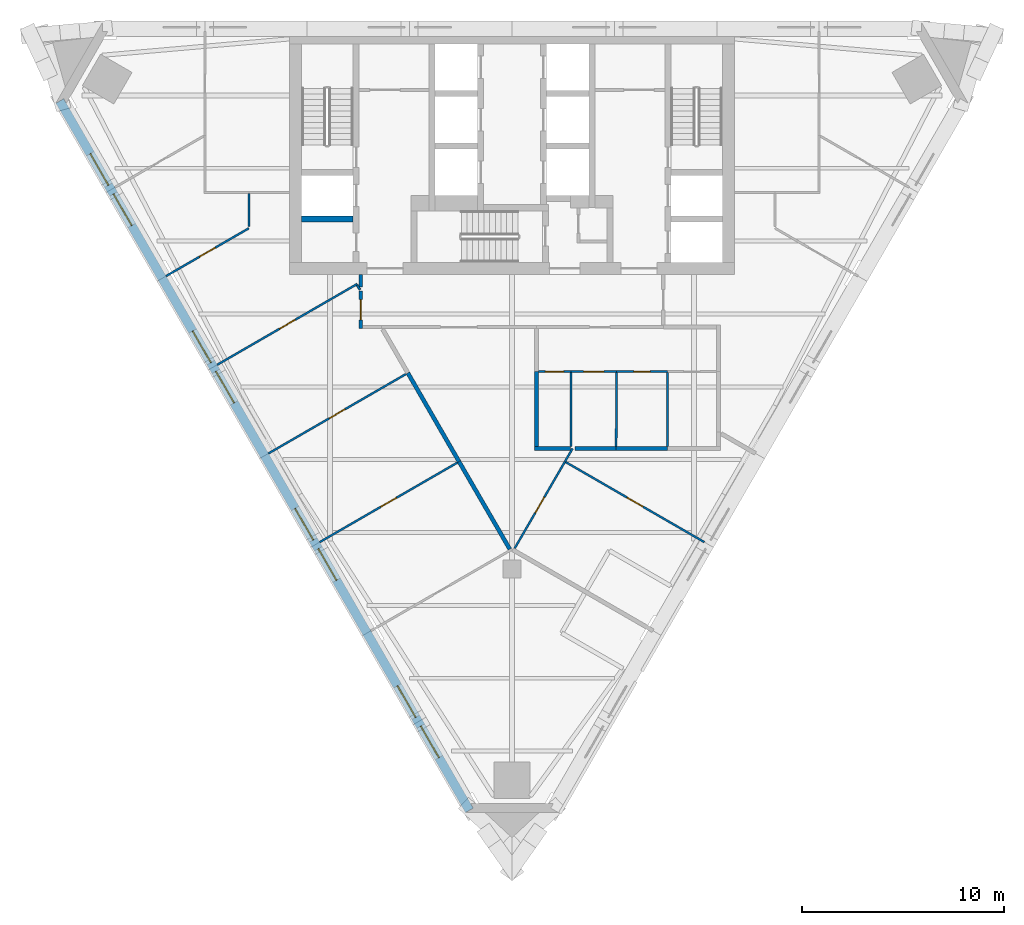
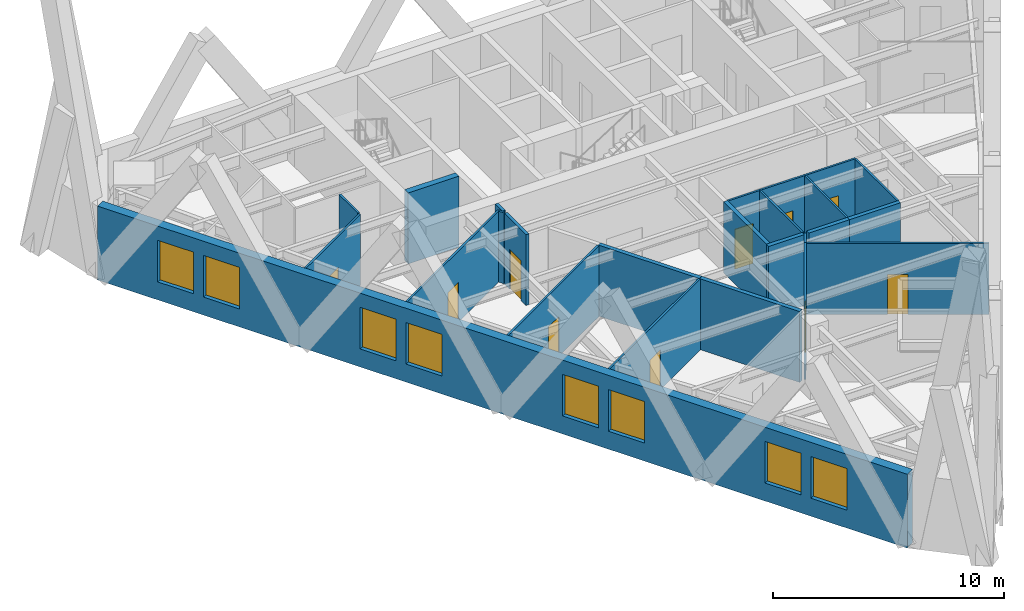
# One storey, part 3 of 8: 25 walls, 10 doors, 8 windows, 18 openings.
"""IFC4 building model written with IfcOpenShell, lengths in metres."""

import ifcopenshell
import ifcopenshell.guid

model = None  # the IFC model being written
_history = None  # IfcOwnerHistory: only IFC2X3 demands one
_inside = {}  # id of a spatial element -> (the spatial element, [elements in it])
_under = {}  # id of a project, library or spatial element -> (it, [spatial elements below it])
_declared = {}  # id of a project -> (the project, [libraries it declares])
_typed = {}  # id of a type object -> (the type object, [elements of that type])
_made_of = {}  # id of a material, layer set ... -> (it, [elements and type objects made of it])


def new_model(schema):
    """Start an empty IFC model of exactly this schema.

    Asked for "IFC4X3", IfcOpenShell would pick the latest addendum, in which some entities
    have other attributes; the version numbers below select the first issue.
    IFC2X3 requires an IfcOwnerHistory on every rooted entity: one is made here for all.
    """
    global model, _history
    if schema == "IFC4X3":
        model = ifcopenshell.file(schema_version=(4, 3, 0, 0))
    else:
        model = ifcopenshell.file(schema=schema)
    _inside.clear()
    _under.clear()
    _declared.clear()
    _typed.clear()
    _made_of.clear()
    _history = None
    if model.schema == "IFC2X3":
        org = make("IfcOrganization", Name="unknown")
        user = make(
            "IfcPersonAndOrganization",
            ThePerson=make("IfcPerson", FamilyName="unknown"),
            TheOrganization=org,
        )
        app = make(
            "IfcApplication",
            ApplicationDeveloper=org,
            Version="unknown",
            ApplicationFullName="unknown",
            ApplicationIdentifier="unknown",
        )
        _history = make(
            "IfcOwnerHistory",
            OwningUser=user,
            OwningApplication=app,
            ChangeAction="ADDED",
            CreationDate=0,
        )
    return model


def make(cls, **values):
    """One entity of the class cls with the attributes given. An attribute that is None is left unset."""
    return model.create_entity(
        cls, **{name: value for name, value in values.items() if value is not None}
    )


def rooted(cls, **values):
    """An entity with a GlobalId (a new one), such as an element, a storey or a relation."""
    return make(cls, GlobalId=ifcopenshell.guid.new(), OwnerHistory=_history, **values)


def si_unit(unit_type, name, prefix=None):
    """IfcSIUnit, for example si_unit("LENGTHUNIT", "METRE", prefix="MILLI")."""
    return make("IfcSIUnit", UnitType=unit_type, Prefix=prefix, Name=name)


def assignment(units):
    """IfcUnitAssignment: the units of a project."""
    return None if units is None else make("IfcUnitAssignment", Units=units)


def point(xyz):
    """IfcCartesianPoint."""
    return None if xyz is None else make("IfcCartesianPoint", Coordinates=xyz)


def direction(xyz):
    """IfcDirection."""
    return None if xyz is None else make("IfcDirection", DirectionRatios=xyz)


def frame(location, z_axis=None, x_axis=None):
    """IfcAxis2Placement3D, a coordinate frame: its origin and axes. An axis left out is left unset."""
    return make(
        "IfcAxis2Placement3D",
        Location=point(location),
        Axis=direction(z_axis),
        RefDirection=direction(x_axis),
    )


def frame_2d(location, x_axis=None):
    """IfcAxis2Placement2D, a coordinate frame in the plane: its origin and x axis."""
    return make(
        "IfcAxis2Placement2D", Location=point(location), RefDirection=direction(x_axis)
    )


def origin():
    """The frame at (0, 0, 0) with its axes left unset."""
    return frame((0.0, 0.0, 0.0))


def place(relative_to, where):
    """IfcLocalPlacement: puts the frame where relative to a parent placement (None: the world)."""
    return make(
        "IfcLocalPlacement", PlacementRelTo=relative_to, RelativePlacement=where
    )


def context(
    kind, dimensions, precision=None, world=None, true_north=None, identifier=None
):
    """IfcGeometricRepresentationContext, for example the 3D "Model" context."""
    return make(
        "IfcGeometricRepresentationContext",
        ContextIdentifier=identifier,
        ContextType=kind,
        CoordinateSpaceDimension=dimensions,
        Precision=precision,
        WorldCoordinateSystem=world,
        TrueNorth=true_north,
    )


def subcontext(parent, identifier, kind, view, scale=None):
    """IfcGeometricRepresentationSubContext, for example "Body" below "Model"."""
    return make(
        "IfcGeometricRepresentationSubContext",
        ContextIdentifier=identifier,
        ContextType=kind,
        ParentContext=parent,
        TargetScale=scale,
        TargetView=view,
    )


def project(units=None, contexts=None):
    """IfcProject with its units and contexts."""
    return rooted(
        "IfcProject",
        Name="project",
        RepresentationContexts=contexts,
        UnitsInContext=assignment(units),
    )


def spatial(cls, under=None, at=None, **own):
    """A site, building, storey or space (cls), placed at a placement, below another one or the project."""
    s = rooted(cls, ObjectPlacement=at, **own)
    if under is not None:
        _under.setdefault(under.id(), (under, []))[1].append(s)
    return s


def polyline(points):
    """IfcPolyline through the points."""
    return make("IfcPolyline", Points=[point(p) for p in points])


def profile(cls, at=None, kind="AREA", **sizes):
    """A parametric profile (cls). Its sizes go by their IFC names, for example OverallWidth=200.0."""
    return make(cls, ProfileType=kind, Position=at, **sizes)


def rectangle(**sizes):
    """IfcRectangleProfileDef."""
    return profile("IfcRectangleProfileDef", **sizes)


def outline(outer, holes=None, kind="AREA"):
    """IfcArbitraryClosedProfileDef: a profile drawn as a closed curve; with holes, ...WithVoids."""
    if holes is None:
        return make("IfcArbitraryClosedProfileDef", ProfileType=kind, OuterCurve=outer)
    return make(
        "IfcArbitraryProfileDefWithVoids",
        ProfileType=kind,
        OuterCurve=outer,
        InnerCurves=holes,
    )


def extrude(swept, where, along, depth):
    """IfcExtrudedAreaSolid: the profile swept, set in the frame where, extruded along a direction by depth."""
    return make(
        "IfcExtrudedAreaSolid",
        SweptArea=swept,
        Position=where,
        ExtrudedDirection=direction(along),
        Depth=depth,
    )


def shape(context_of_items, identifier, shape_type, items):
    """IfcShapeRepresentation: the items that make up one representation, for example the "Body"."""
    return make(
        "IfcShapeRepresentation",
        ContextOfItems=context_of_items,
        RepresentationIdentifier=identifier,
        RepresentationType=shape_type,
        Items=items,
    )


def material(Name=None, Category=None):
    """IfcMaterial."""
    return make("IfcMaterial", Name=Name, Category=Category)


def layer(
    of_material, thickness, ventilated=None, Name=None, Category=None, Priority=None
):
    """IfcMaterialLayer: one layer of a wall or slab, of a material (None: an air gap)."""
    return make(
        "IfcMaterialLayer",
        Material=of_material,
        LayerThickness=thickness,
        IsVentilated=ventilated,
        Name=Name,
        Category=Category,
        Priority=Priority,
    )


def layer_set(layers, Name=None):
    """IfcMaterialLayerSet."""
    return make("IfcMaterialLayerSet", MaterialLayers=layers, LayerSetName=Name)


def made_of(thing, what):
    """Note that an element or type object is made of a material, layer set ...; save() writes the relation."""
    if what is not None:
        _made_of.setdefault(what.id(), (what, []))[1].append(thing)
    return thing


def type_object(cls, material=None, **own):
    """A type object (cls), such as IfcWallType, which elements share."""
    return made_of(rooted(cls, **own), material)


def element(
    cls,
    number,
    at=None,
    inside=None,
    cuts=None,
    type_object=None,
    material=None,
    context=None,
    identifier="Body",
    shape_type=None,
    held_by="IfcProductDefinitionShape",
    body=None,
    shapes=None,
    **own,
):
    """One element of the class cls, such as IfcWall. Its Tag is "e" and its number.

    at: its placement. inside: the storey or other place that contains it. cuts: it is an
    opening in that element (IfcRelVoidsElement). A single representation is given by context,
    identifier, shape_type and body (its items); several are given by shapes. held_by: the class
    of the entity that holds the representations. save() writes the other relations.
    """
    e = rooted(cls, Tag="e%d" % number, ObjectPlacement=at, **own)
    if body is not None:
        shapes = [shape(context, identifier, shape_type, body)]
    if shapes is not None:
        e.Representation = make(held_by, Representations=shapes)
    if inside is not None:
        _inside.setdefault(inside.id(), (inside, []))[1].append(e)
    if cuts is not None:
        rooted(
            "IfcRelVoidsElement", RelatingBuildingElement=cuts, RelatedOpeningElement=e
        )
    if type_object is not None:
        _typed.setdefault(type_object.id(), (type_object, []))[1].append(e)
    return made_of(e, material)


def fill(opening, filler):
    """IfcRelFillsElement: the door or window that sits in an opening."""
    return rooted(
        "IfcRelFillsElement",
        RelatingOpeningElement=opening,
        RelatedBuildingElement=filler,
    )


def aggregate(whole, parts):
    """IfcRelAggregates: a whole, such as a stair, and the parts it consists of."""
    return rooted("IfcRelAggregates", RelatingObject=whole, RelatedObjects=parts)


def save(model, path):
    """Write the relations noted so far, then the file.

    IfcRelAggregates (storeys below a building ...), IfcRelContainedInSpatialStructure (elements
    in a storey), IfcRelDefinesByType, IfcRelAssociatesMaterial and IfcRelDeclares: one each for
    every whole, place, type object, material and project.
    """
    for whole, parts in _under.values():
        aggregate(whole, parts)
    for where, things in _inside.values():
        rooted(
            "IfcRelContainedInSpatialStructure",
            RelatedElements=things,
            RelatingStructure=where,
        )
    for kind, things in _typed.values():
        rooted("IfcRelDefinesByType", RelatedObjects=things, RelatingType=kind)
    for what, things in _made_of.values():
        rooted("IfcRelAssociatesMaterial", RelatedObjects=things, RelatingMaterial=what)
    for by, libraries in _declared.values():
        rooted("IfcRelDeclares", RelatingContext=by, RelatedDefinitions=libraries)
    model.write(path)


model = new_model("IFC4")

# Units and contexts
model_context = context("Model", 3, precision=1e-05, world=origin(), true_north=direction((0.0, 1.0)))
body_context = subcontext(model_context, "Body", "Model", "MODEL_VIEW")
ifc_project = project(units=[si_unit("LENGTHUNIT", "METRE"), si_unit("AREAUNIT", "SQUARE_METRE"), si_unit("VOLUMEUNIT", "CUBIC_METRE"), si_unit("PLANEANGLEUNIT", "RADIAN"), si_unit("MASSUNIT", "GRAM", prefix="KILO")], contexts=[model_context])

# Site, building, storey
site_placement = place(None, origin())
site = spatial("IfcSite", under=ifc_project, at=site_placement, CompositionType="ELEMENT")
building_placement = place(site_placement, origin())
building = spatial("IfcBuilding", under=site, at=building_placement, Name="Aloe Facet Convention Tower", CompositionType="ELEMENT")
storey_placement = place(building_placement, frame((0.0, 0.0, 159.800048828125)))
storey = spatial("IfcBuildingStorey", under=building, at=storey_placement, Name="L40", CompositionType="ELEMENT", Elevation=159.800048828125)

# Wall
ifc_material_1 = material(Name="Concrete C60/75", Category="concrete")
ifc_layer_1 = layer(ifc_material_1, 0.300048828125)
ifc_layer_set_1 = layer_set([ifc_layer_1], Name="CR-W-RC300-C6075")
wall_type_1 = type_object("IfcWallType", Name="CR-W-RC300-C6075", PredefinedType="SOLIDWALL", material=ifc_layer_set_1)
wall_1_placement = place(storey_placement, frame((69.60009765625, 125.300048828125, 0.0), z_axis=(0.0, 0.0, 1.0), x_axis=(1.0, 0.0, 0.0)))
element("IfcWall", 1, at=wall_1_placement, inside=storey, type_object=wall_type_1, Name="Core wall L40-005", PredefinedType="SOLIDWALL", context=body_context, shape_type="SweptSolid", body=[
    extrude(rectangle(XDim=2.5498046875, YDim=0.300048828125, at=frame_2d((1.27490234375, 0.0))), origin(), (0.0, 0.0, 1.0), 3.75),
])

# Wall, openings, windows
ifc_material_2 = material(Name="Precast concrete C40/50", Category="concrete")
ifc_layer_2 = layer(ifc_material_2, 0.449951171875)
ifc_layer_set_2 = layer_set([ifc_layer_2], Name="EV-WALL-STONE")
wall_type_2 = type_object("IfcWallType", Name="EV-WALL-STONE", PredefinedType="SOLIDWALL", material=ifc_layer_set_2)
wall_2_placement = place(storey_placement, frame((57.65185546875, 131.128662109375, -0.150146484375), z_axis=(0.0, 0.0, 1.0), x_axis=(0.499997369791, -0.866026922331, 0.0)))
wall_2 = element("IfcWall", 2, at=wall_2_placement, inside=storey, type_object=wall_type_2, Name="EW-L40-W01", PredefinedType="SOLIDWALL", context=body_context, shape_type="SweptSolid", body=[
    extrude(outline(polyline([(40.486083984375, 0.0), (40.486083984375, 3.900146484375), (0.0, 3.900146484375), (0.0, 0.0), (40.486083984375, 0.0)])), frame((0.0, 0.22509765625, 0.0), z_axis=(0.0, -1.0, 0.0), x_axis=(1.0, 0.0, 0.0)), (0.0, 0.0, 1.0), 0.449951171875),
])
opening_1_placement = place(wall_2_placement, frame((3.0107421875, 0.0, 0.949951171875)))
opening_1 = element("IfcOpeningElement", 3, at=opening_1_placement, cuts=wall_2, Name="Opening W-L40-W01", PredefinedType="OPENING", context=body_context, shape_type="SweptSolid", body=[
    extrude(rectangle(XDim=1.800048828125, YDim=2.199951171875, at=frame_2d((0.89990234375, 1.10009765625))), frame((0.0, 0.23486328125, 0.0), z_axis=(0.0, -1.0, 0.0), x_axis=(1.0, 0.0, 0.0)), (0.0, 0.0, 1.0), 0.469970703125),
])
opening_2_placement = place(wall_2_placement, frame((5.310791015625, 0.0, 0.949951171875)))
opening_2 = element("IfcOpeningElement", 4, at=opening_2_placement, cuts=wall_2, Name="Opening W-L40-W02", PredefinedType="OPENING", context=body_context, shape_type="SweptSolid", body=[
    extrude(rectangle(XDim=1.800048828125, YDim=2.199951171875, at=frame_2d((0.89990234375, 1.10009765625))), frame((0.0, 0.23486328125, 0.0), z_axis=(0.0, -1.0, 0.0), x_axis=(1.0, 0.0, 0.0)), (0.0, 0.0, 1.0), 0.469970703125),
])
opening_3_placement = place(wall_2_placement, frame((13.13232421875, 0.0, 0.949951171875)))
opening_3 = element("IfcOpeningElement", 5, at=opening_3_placement, cuts=wall_2, Name="Opening W-L40-W03", PredefinedType="OPENING", context=body_context, shape_type="SweptSolid", body=[
    extrude(rectangle(XDim=1.800048828125, YDim=2.199951171875, at=frame_2d((0.89990234375, 1.10009765625))), frame((0.0, 0.23486328125, 0.0), z_axis=(0.0, -1.0, 0.0), x_axis=(1.0, 0.0, 0.0)), (0.0, 0.0, 1.0), 0.469970703125),
])
opening_4_placement = place(wall_2_placement, frame((15.432373046875, 0.0, 0.949951171875)))
opening_4 = element("IfcOpeningElement", 6, at=opening_4_placement, cuts=wall_2, Name="Opening W-L40-W04", PredefinedType="OPENING", context=body_context, shape_type="SweptSolid", body=[
    extrude(rectangle(XDim=1.800048828125, YDim=2.199951171875, at=frame_2d((0.89990234375, 1.10009765625))), frame((0.0, 0.23486328125, 0.0), z_axis=(0.0, -1.0, 0.0), x_axis=(1.0, 0.0, 0.0)), (0.0, 0.0, 1.0), 0.469970703125),
])
opening_5_placement = place(wall_2_placement, frame((23.25390625, 0.0, 0.949951171875)))
opening_5 = element("IfcOpeningElement", 7, at=opening_5_placement, cuts=wall_2, Name="Opening W-L40-W05", PredefinedType="OPENING", context=body_context, shape_type="SweptSolid", body=[
    extrude(rectangle(XDim=1.800048828125, YDim=2.199951171875, at=frame_2d((0.89990234375, 1.10009765625))), frame((0.0, 0.23486328125, 0.0), z_axis=(0.0, -1.0, 0.0), x_axis=(1.0, 0.0, 0.0)), (0.0, 0.0, 1.0), 0.469970703125),
])
opening_6_placement = place(wall_2_placement, frame((25.553955078125, 0.0, 0.949951171875)))
opening_6 = element("IfcOpeningElement", 8, at=opening_6_placement, cuts=wall_2, Name="Opening W-L40-W06", PredefinedType="OPENING", context=body_context, shape_type="SweptSolid", body=[
    extrude(rectangle(XDim=1.800048828125, YDim=2.199951171875, at=frame_2d((0.89990234375, 1.10009765625))), frame((0.0, 0.23486328125, 0.0), z_axis=(0.0, -1.0, 0.0), x_axis=(1.0, 0.0, 0.0)), (0.0, 0.0, 1.0), 0.469970703125),
])
opening_7_placement = place(wall_2_placement, frame((33.37548828125, 0.0, 0.949951171875)))
opening_7 = element("IfcOpeningElement", 9, at=opening_7_placement, cuts=wall_2, Name="Opening W-L40-W07", PredefinedType="OPENING", context=body_context, shape_type="SweptSolid", body=[
    extrude(rectangle(XDim=1.800048828125, YDim=2.199951171875, at=frame_2d((0.89990234375, 1.10009765625))), frame((0.0, 0.23486328125, 0.0), z_axis=(0.0, -1.0, 0.0), x_axis=(1.0, 0.0, 0.0)), (0.0, 0.0, 1.0), 0.469970703125),
])
opening_8_placement = place(wall_2_placement, frame((35.67529296875, 0.0, 0.949951171875)))
opening_8 = element("IfcOpeningElement", 10, at=opening_8_placement, cuts=wall_2, Name="Opening W-L40-W08", PredefinedType="OPENING", context=body_context, shape_type="SweptSolid", body=[
    extrude(rectangle(XDim=1.800048828125, YDim=2.199951171875, at=frame_2d((0.89990234375, 1.10009765625))), frame((0.0, 0.23486328125, 0.0), z_axis=(0.0, -1.0, 0.0), x_axis=(1.0, 0.0, 0.0)), (0.0, 0.0, 1.0), 0.469970703125),
])
ifc_material_3 = material(Name="Aluminium frame, clear double glazing", Category="aluminium")
window_type = type_object("IfcWindowType", Name="EV-WIN-O18", PartitioningType="SINGLE_PANEL", PredefinedType="WINDOW", material=ifc_material_3)
window_1_placement = place(opening_1_placement, origin())
window_1 = element("IfcWindow", 11, at=window_1_placement, inside=storey, type_object=window_type, Name="W-L40-W01", OverallHeight=2.199951171875, OverallWidth=1.800048828125, PartitioningType="SINGLE_PANEL", PredefinedType="WINDOW", context=body_context, shape_type="SweptSolid", body=[
    extrude(rectangle(XDim=1.800048828125, YDim=2.199951171875, at=frame_2d((0.89990234375, 1.10009765625))), frame((0.0, 0.030029296875, 0.0), z_axis=(0.0, -1.0, 0.0), x_axis=(1.0, 0.0, 0.0)), (0.0, 0.0, 1.0), 0.06005859375),
])
fill(opening_1, window_1)
window_2_placement = place(opening_2_placement, origin())
window_2 = element("IfcWindow", 12, at=window_2_placement, inside=storey, type_object=window_type, Name="W-L40-W02", OverallHeight=2.199951171875, OverallWidth=1.800048828125, PartitioningType="SINGLE_PANEL", PredefinedType="WINDOW", context=body_context, shape_type="SweptSolid", body=[
    extrude(rectangle(XDim=1.800048828125, YDim=2.199951171875, at=frame_2d((0.89990234375, 1.10009765625))), frame((0.0, 0.030029296875, 0.0), z_axis=(0.0, -1.0, 0.0), x_axis=(1.0, 0.0, 0.0)), (0.0, 0.0, 1.0), 0.06005859375),
])
fill(opening_2, window_2)
window_3_placement = place(opening_3_placement, origin())
window_3 = element("IfcWindow", 13, at=window_3_placement, inside=storey, type_object=window_type, Name="W-L40-W03", OverallHeight=2.199951171875, OverallWidth=1.800048828125, PartitioningType="SINGLE_PANEL", PredefinedType="WINDOW", context=body_context, shape_type="SweptSolid", body=[
    extrude(rectangle(XDim=1.800048828125, YDim=2.199951171875, at=frame_2d((0.89990234375, 1.10009765625))), frame((0.0, 0.030029296875, 0.0), z_axis=(0.0, -1.0, 0.0), x_axis=(1.0, 0.0, 0.0)), (0.0, 0.0, 1.0), 0.06005859375),
])
fill(opening_3, window_3)
window_4_placement = place(opening_4_placement, origin())
window_4 = element("IfcWindow", 14, at=window_4_placement, inside=storey, type_object=window_type, Name="W-L40-W04", OverallHeight=2.199951171875, OverallWidth=1.800048828125, PartitioningType="SINGLE_PANEL", PredefinedType="WINDOW", context=body_context, shape_type="SweptSolid", body=[
    extrude(rectangle(XDim=1.800048828125, YDim=2.199951171875, at=frame_2d((0.89990234375, 1.10009765625))), frame((0.0, 0.030029296875, 0.0), z_axis=(0.0, -1.0, 0.0), x_axis=(1.0, 0.0, 0.0)), (0.0, 0.0, 1.0), 0.06005859375),
])
fill(opening_4, window_4)
window_5_placement = place(opening_5_placement, origin())
window_5 = element("IfcWindow", 15, at=window_5_placement, inside=storey, type_object=window_type, Name="W-L40-W05", OverallHeight=2.199951171875, OverallWidth=1.800048828125, PartitioningType="SINGLE_PANEL", PredefinedType="WINDOW", context=body_context, shape_type="SweptSolid", body=[
    extrude(rectangle(XDim=1.800048828125, YDim=2.199951171875, at=frame_2d((0.89990234375, 1.10009765625))), frame((0.0, 0.030029296875, 0.0), z_axis=(0.0, -1.0, 0.0), x_axis=(1.0, 0.0, 0.0)), (0.0, 0.0, 1.0), 0.06005859375),
])
fill(opening_5, window_5)
window_6_placement = place(opening_6_placement, origin())
window_6 = element("IfcWindow", 16, at=window_6_placement, inside=storey, type_object=window_type, Name="W-L40-W06", OverallHeight=2.199951171875, OverallWidth=1.800048828125, PartitioningType="SINGLE_PANEL", PredefinedType="WINDOW", context=body_context, shape_type="SweptSolid", body=[
    extrude(rectangle(XDim=1.800048828125, YDim=2.199951171875, at=frame_2d((0.89990234375, 1.10009765625))), frame((0.0, 0.030029296875, 0.0), z_axis=(0.0, -1.0, 0.0), x_axis=(1.0, 0.0, 0.0)), (0.0, 0.0, 1.0), 0.06005859375),
])
fill(opening_6, window_6)
window_7_placement = place(opening_7_placement, origin())
window_7 = element("IfcWindow", 17, at=window_7_placement, inside=storey, type_object=window_type, Name="W-L40-W07", OverallHeight=2.199951171875, OverallWidth=1.800048828125, PartitioningType="SINGLE_PANEL", PredefinedType="WINDOW", context=body_context, shape_type="SweptSolid", body=[
    extrude(rectangle(XDim=1.800048828125, YDim=2.199951171875, at=frame_2d((0.89990234375, 1.10009765625))), frame((0.0, 0.030029296875, 0.0), z_axis=(0.0, -1.0, 0.0), x_axis=(1.0, 0.0, 0.0)), (0.0, 0.0, 1.0), 0.06005859375),
])
fill(opening_7, window_7)
window_8_placement = place(opening_8_placement, origin())
window_8 = element("IfcWindow", 18, at=window_8_placement, inside=storey, type_object=window_type, Name="W-L40-W08", OverallHeight=2.199951171875, OverallWidth=1.800048828125, PartitioningType="SINGLE_PANEL", PredefinedType="WINDOW", context=body_context, shape_type="SweptSolid", body=[
    extrude(rectangle(XDim=1.800048828125, YDim=2.199951171875, at=frame_2d((0.89990234375, 1.10009765625))), frame((0.0, 0.030029296875, 0.0), z_axis=(0.0, -1.0, 0.0), x_axis=(1.0, 0.0, 0.0)), (0.0, 0.0, 1.0), 0.06005859375),
])
fill(opening_8, window_8)

# Wall, opening, door
ifc_material_4 = material(Name="Gypsum board partition on steel studs", Category="steel")
ifc_layer_3 = layer(ifc_material_4, 0.14990234375)
ifc_layer_set_3 = layer_set([ifc_layer_3], Name="IN-W-CORR")
wall_type_3 = type_object("IfcWallType", Name="IN-W-CORR", PredefinedType="PARTITIONING", material=ifc_layer_set_3)
wall_3_placement = place(storey_placement, frame((72.52490234375, 119.875, 0.0), z_axis=(0.0, 0.0, 1.0), x_axis=(0.0, 1.0, 0.0)))
wall_3 = element("IfcWall", 19, at=wall_3_placement, inside=storey, type_object=wall_type_3, Name="Partition L40-W031", PredefinedType="PARTITIONING", context=body_context, shape_type="SweptSolid", body=[
    extrude(rectangle(XDim=1.862548828125, YDim=0.14990234375, at=frame_2d((0.93115234375, 0.0))), origin(), (0.0, 0.0, 1.0), 3.75),
])
opening_9_placement = place(wall_3_placement, frame((0.431396484375, 0.0, 0.0)))
opening_9 = element("IfcOpeningElement", 20, at=opening_9_placement, cuts=wall_3, Name="Opening L40-010", PredefinedType="OPENING", context=body_context, shape_type="SweptSolid", body=[
    extrude(rectangle(XDim=1.0, YDim=2.10009765625, at=frame_2d((0.5, 1.050048828125))), frame((0.0, 0.0849609375, 0.0), z_axis=(0.0, -1.0, 0.0), x_axis=(1.0, 0.0, 0.0)), (0.0, 0.0, 1.0), 0.169921875),
])
ifc_material_5 = material(Name="Timber door FD30S with vision panel", Category="wood")
door_type_1 = type_object("IfcDoorType", Name="IN-OFF-D-ENTRY", OperationType="SINGLE_SWING_LEFT", PredefinedType="DOOR", material=ifc_material_5)
door_1_placement = place(opening_9_placement, origin())
door_1 = element("IfcDoor", 21, at=door_1_placement, inside=storey, type_object=door_type_1, Name="Door L40-010", OperationType="SINGLE_SWING_LEFT", OverallHeight=2.10009765625, OverallWidth=1.0, PredefinedType="DOOR", context=body_context, shape_type="SweptSolid", body=[
    extrude(rectangle(XDim=1.0, YDim=2.10009765625, at=frame_2d((0.5, 1.050048828125))), frame((0.0, 0.02490234375, 0.0), z_axis=(0.0, -1.0, 0.0), x_axis=(1.0, 0.0, 0.0)), (0.0, 0.0, 1.0), 0.050048828125),
])
fill(opening_9, door_1)

# Wall
wall_4_placement = place(storey_placement, frame((72.52490234375, 121.927490234375, 0.0), z_axis=(0.0, 0.0, 1.0), x_axis=(0.0, 1.0, 0.0)))
element("IfcWall", 22, at=wall_4_placement, inside=storey, type_object=wall_type_3, Name="Partition L40-W037", PredefinedType="PARTITIONING", context=body_context, shape_type="SweptSolid", body=[
    extrude(rectangle(XDim=0.62255859375, YDim=0.14990234375, at=frame_2d((0.311279296875, 0.0))), origin(), (0.0, 0.0, 1.0), 3.75),
])

# Wall, opening, door
ifc_material_6 = material(Name="Gypsum board partition on steel studs", Category="steel")
ifc_layer_4 = layer(ifc_material_6, 0.10009765625)
ifc_layer_set_4 = layer_set([ifc_layer_4], Name="IN-W-PART")
wall_type_4 = type_object("IfcWallType", Name="IN-W-PART", PredefinedType="PARTITIONING", material=ifc_layer_set_4)
wall_5_placement = place(storey_placement, frame((70.49853515625, 109.327392578125, 0.0), z_axis=(0.0, 0.0, 1.0), x_axis=(0.86602399778, 0.500002435262, 0.0)))
wall_5 = element("IfcWall", 23, at=wall_5_placement, inside=storey, type_object=wall_type_4, Name="Partition L40-W006", PredefinedType="PARTITIONING", context=body_context, shape_type="SweptSolid", body=[
    extrude(rectangle(XDim=7.85009765625, YDim=0.10009765625, at=frame_2d((3.925048828125, 0.0))), origin(), (0.0, 0.0, 1.0), 3.75),
])
opening_10_placement = place(wall_5_placement, frame((3.47509765625, 0.0, 0.0)))
opening_10 = element("IfcOpeningElement", 24, at=opening_10_placement, cuts=wall_5, Name="Opening L40-012", PredefinedType="OPENING", context=body_context, shape_type="SweptSolid", body=[
    extrude(rectangle(XDim=0.89990234375, YDim=2.10009765625, at=frame_2d((0.449951171875, 1.050048828125))), frame((0.0, 0.06005859375, 0.0), z_axis=(0.0, -1.0, 0.0), x_axis=(1.0, 0.0, 0.0)), (0.0, 0.0, 1.0), 0.1201171875),
])
ifc_material_7 = material(Name="Timber door", Category="wood")
door_type_2 = type_object("IfcDoorType", Name="IN-OFF-D-ROOM", OperationType="SINGLE_SWING_LEFT", PredefinedType="DOOR", material=ifc_material_7)
door_2_placement = place(opening_10_placement, origin())
door_2 = element("IfcDoor", 25, at=door_2_placement, inside=storey, type_object=door_type_2, Name="Door L40-012", OperationType="SINGLE_SWING_LEFT", OverallHeight=2.10009765625, OverallWidth=0.89990234375, PredefinedType="DOOR", context=body_context, shape_type="SweptSolid", body=[
    extrude(rectangle(XDim=0.89990234375, YDim=2.10009765625, at=frame_2d((0.449951171875, 1.050048828125))), frame((0.0, 0.02490234375, 0.0), z_axis=(0.0, -1.0, 0.0), x_axis=(1.0, 0.0, 0.0)), (0.0, 0.0, 1.0), 0.050048828125),
])
fill(opening_10, door_2)

wall_6_placement = place(storey_placement, frame((82.659912109375, 113.277587890625, 0.0), z_axis=(0.0, 0.0, 1.0), x_axis=(0.866013180616, -0.500021170551, 0.0)))
wall_6 = element("IfcWall", 26, at=wall_6_placement, inside=storey, type_object=wall_type_4, Name="Partition L40-W007", PredefinedType="PARTITIONING", context=body_context, shape_type="SweptSolid", body=[
    extrude(rectangle(XDim=7.900146484375, YDim=0.10009765625, at=frame_2d((3.9501953125, 0.0))), origin(), (0.0, 0.0, 1.0), 3.75),
])
opening_11_placement = place(wall_6_placement, frame((3.5, 0.0, 0.0)))
opening_11 = element("IfcOpeningElement", 27, at=opening_11_placement, cuts=wall_6, Name="Opening L40-014", PredefinedType="OPENING", context=body_context, shape_type="SweptSolid", body=[
    extrude(rectangle(XDim=0.89990234375, YDim=2.10009765625, at=frame_2d((0.449951171875, 1.050048828125))), frame((0.0, 0.06005859375, 0.0), z_axis=(0.0, -1.0, 0.0), x_axis=(1.0, 0.0, 0.0)), (0.0, 0.0, 1.0), 0.1201171875),
])
door_3_placement = place(opening_11_placement, origin())
door_3 = element("IfcDoor", 28, at=door_3_placement, inside=storey, type_object=door_type_2, Name="Door L40-014", OperationType="SINGLE_SWING_LEFT", OverallHeight=2.10009765625, OverallWidth=0.89990234375, PredefinedType="DOOR", context=body_context, shape_type="SweptSolid", body=[
    extrude(rectangle(XDim=0.89990234375, YDim=2.10009765625, at=frame_2d((0.449951171875, 1.050048828125))), frame((0.0, 0.02490234375, 0.0), z_axis=(0.0, -1.0, 0.0), x_axis=(1.0, 0.0, 0.0)), (0.0, 0.0, 1.0), 0.050048828125),
])
fill(opening_11, door_3)

wall_7_placement = place(storey_placement, frame((80.132568359375, 109.02001953125, 0.0), z_axis=(0.0, 0.0, 1.0), x_axis=(0.501726207978, 0.865026480651, 0.0)))
wall_7 = element("IfcWall", 29, at=wall_7_placement, inside=storey, type_object=wall_type_4, Name="Partition L40-W009", PredefinedType="PARTITIONING", context=body_context, shape_type="SweptSolid", body=[
    extrude(rectangle(XDim=4.95068359375, YDim=0.10009765625, at=frame_2d((2.475341796875, 0.0))), origin(), (0.0, 0.0, 1.0), 3.75),
])
opening_12_placement = place(wall_7_placement, frame((2.025390625, 0.0, 0.0)))
opening_12 = element("IfcOpeningElement", 30, at=opening_12_placement, cuts=wall_7, Name="Opening L40-013", PredefinedType="OPENING", context=body_context, shape_type="SweptSolid", body=[
    extrude(rectangle(XDim=0.89990234375, YDim=2.10009765625, at=frame_2d((0.449951171875, 1.050048828125))), frame((0.0, 0.06005859375, 0.0), z_axis=(0.0, -1.0, 0.0), x_axis=(1.0, 0.0, 0.0)), (0.0, 0.0, 1.0), 0.1201171875),
])
door_4_placement = place(opening_12_placement, origin())
door_4 = element("IfcDoor", 31, at=door_4_placement, inside=storey, type_object=door_type_2, Name="Door L40-013", OperationType="SINGLE_SWING_LEFT", OverallHeight=2.10009765625, OverallWidth=0.89990234375, PredefinedType="DOOR", context=body_context, shape_type="SweptSolid", body=[
    extrude(rectangle(XDim=0.89990234375, YDim=2.10009765625, at=frame_2d((0.449951171875, 1.050048828125))), frame((0.0, 0.02490234375, 0.0), z_axis=(0.0, -1.0, 0.0), x_axis=(1.0, 0.0, 0.0)), (0.0, 0.0, 1.0), 0.050048828125),
])
fill(opening_12, door_4)

wall_8_placement = place(storey_placement, frame((67.96826171875, 113.710205078125, 0.0), z_axis=(0.0, 0.0, 1.0), x_axis=(0.866013415921, 0.500020763015, 0.0)))
wall_8 = element("IfcWall", 32, at=wall_8_placement, inside=storey, type_object=wall_type_4, Name="Partition L40-W010", PredefinedType="PARTITIONING", context=body_context, shape_type="SweptSolid", body=[
    extrude(rectangle(XDim=7.840087890625, YDim=0.10009765625, at=frame_2d((3.919921875, 0.0))), origin(), (0.0, 0.0, 1.0), 3.75),
])
opening_13_placement = place(wall_8_placement, frame((3.469970703125, 0.0, 0.0)))
opening_13 = element("IfcOpeningElement", 33, at=opening_13_placement, cuts=wall_8, Name="Opening L40-011", PredefinedType="OPENING", context=body_context, shape_type="SweptSolid", body=[
    extrude(rectangle(XDim=0.89990234375, YDim=2.10009765625, at=frame_2d((0.449951171875, 1.050048828125))), frame((0.0, 0.06005859375, 0.0), z_axis=(0.0, -1.0, 0.0), x_axis=(1.0, 0.0, 0.0)), (0.0, 0.0, 1.0), 0.1201171875),
])
door_5_placement = place(opening_13_placement, origin())
door_5 = element("IfcDoor", 34, at=door_5_placement, inside=storey, type_object=door_type_2, Name="Door L40-011", OperationType="SINGLE_SWING_LEFT", OverallHeight=2.10009765625, OverallWidth=0.89990234375, PredefinedType="DOOR", context=body_context, shape_type="SweptSolid", body=[
    extrude(rectangle(XDim=0.89990234375, YDim=2.10009765625, at=frame_2d((0.449951171875, 1.050048828125))), frame((0.0, 0.02490234375, 0.0), z_axis=(0.0, -1.0, 0.0), x_axis=(1.0, 0.0, 0.0)), (0.0, 0.0, 1.0), 0.050048828125),
])
fill(opening_13, door_5)

# Walls
wall_9_placement = place(storey_placement, frame((82.616455078125, 113.302490234375, 0.0), z_axis=(0.0, 0.0, 1.0), x_axis=(0.500212318761, 0.865902786784, 0.0)))
element("IfcWall", 35, at=wall_9_placement, inside=storey, type_object=wall_type_4, Name="Partition L40-W014", PredefinedType="PARTITIONING", context=body_context, shape_type="SweptSolid", body=[
    extrude(rectangle(XDim=0.747802734375, YDim=0.10009765625, at=frame_2d((0.3740234375, 0.0))), origin(), (0.0, 0.0, 1.0), 3.75),
])
wall_10_placement = place(storey_placement, frame((82.919677734375, 114.050048828125, 0.0), z_axis=(0.0, 0.0, 1.0), x_axis=(-0.002608686776, 0.999996597371, 0.0)))
element("IfcWall", 36, at=wall_10_placement, inside=storey, type_object=wall_type_4, Name="Partition L40-W022", PredefinedType="PARTITIONING", context=body_context, shape_type="SweptSolid", body=[
    extrude(rectangle(XDim=3.64990234375, YDim=0.10009765625, at=frame_2d((1.824951171875, 0.0))), origin(), (0.0, 0.0, 1.0), 3.75),
])

# Wall, opening, door
wall_11_placement = place(storey_placement, frame((81.300048828125, 117.75, 0.0), z_axis=(0.0, 0.0, 1.0), x_axis=(1.0, 0.0, 0.0)))
wall_11 = element("IfcWall", 37, at=wall_11_placement, inside=storey, type_object=wall_type_4, Name="Partition L40-W023", PredefinedType="PARTITIONING", context=body_context, shape_type="SweptSolid", body=[
    extrude(rectangle(XDim=1.60986328125, YDim=0.10009765625, at=frame_2d((0.804931640625, 0.0))), origin(), (0.0, 0.0, 1.0), 3.75),
])
opening_14_placement = place(wall_11_placement, frame((0.35498046875, 0.0, 0.0)))
opening_14 = element("IfcOpeningElement", 38, at=opening_14_placement, cuts=wall_11, Name="Opening L40-002", PredefinedType="OPENING", context=body_context, shape_type="SweptSolid", body=[
    extrude(rectangle(XDim=0.89990234375, YDim=2.10009765625, at=frame_2d((0.449951171875, 1.050048828125))), frame((0.0, 0.06005859375, 0.0), z_axis=(0.0, -1.0, 0.0), x_axis=(1.0, 0.0, 0.0)), (0.0, 0.0, 1.0), 0.1201171875),
])
door_6_placement = place(opening_14_placement, origin())
door_6 = element("IfcDoor", 39, at=door_6_placement, inside=storey, type_object=door_type_2, Name="Door L40-002", OperationType="SINGLE_SWING_LEFT", OverallHeight=2.10009765625, OverallWidth=0.89990234375, PredefinedType="DOOR", context=body_context, shape_type="SweptSolid", body=[
    extrude(rectangle(XDim=0.89990234375, YDim=2.10009765625, at=frame_2d((0.449951171875, 1.050048828125))), frame((0.0, 0.02490234375, 0.0), z_axis=(0.0, -1.0, 0.0), x_axis=(1.0, 0.0, 0.0)), (0.0, 0.0, 1.0), 0.050048828125),
])
fill(opening_14, door_6)

# Wall
wall_12_placement = place(storey_placement, frame((85.150146484375, 114.050048828125, 0.0), z_axis=(0.0, 0.0, 1.0), x_axis=(0.002675575707, 0.999996420641, 0.0)))
element("IfcWall", 40, at=wall_12_placement, inside=storey, type_object=wall_type_4, Name="Partition L40-W024", PredefinedType="PARTITIONING", context=body_context, shape_type="SweptSolid", body=[
    extrude(rectangle(XDim=3.64990234375, YDim=0.10009765625, at=frame_2d((1.824951171875, 0.0))), origin(), (0.0, 0.0, 1.0), 3.75),
])

# Wall, opening, door
wall_13_placement = place(storey_placement, frame((82.909912109375, 117.75, 0.0), z_axis=(0.0, 0.0, 1.0), x_axis=(1.0, 0.0, 0.0)))
wall_13 = element("IfcWall", 41, at=wall_13_placement, inside=storey, type_object=wall_type_4, Name="Partition L40-W025", PredefinedType="PARTITIONING", context=body_context, shape_type="SweptSolid", body=[
    extrude(rectangle(XDim=2.25, YDim=0.10009765625, at=frame_2d((1.125, 0.0))), origin(), (0.0, 0.0, 1.0), 3.75),
])
opening_15_placement = place(wall_13_placement, frame((0.625, 0.0, 0.0)))
opening_15 = element("IfcOpeningElement", 42, at=opening_15_placement, cuts=wall_13, Name="Opening L40-003", PredefinedType="OPENING", context=body_context, shape_type="SweptSolid", body=[
    extrude(rectangle(XDim=1.0, YDim=2.10009765625, at=frame_2d((0.5, 1.050048828125))), frame((0.0, 0.06005859375, 0.0), z_axis=(0.0, -1.0, 0.0), x_axis=(1.0, 0.0, 0.0)), (0.0, 0.0, 1.0), 0.1201171875),
])
ifc_material_8 = material(Name="Timber door", Category="wood")
door_type_3 = type_object("IfcDoorType", Name="IN-OFF-D-WIDE", OperationType="SINGLE_SWING_LEFT", PredefinedType="DOOR", material=ifc_material_8)
door_7_placement = place(opening_15_placement, origin())
door_7 = element("IfcDoor", 43, at=door_7_placement, inside=storey, type_object=door_type_3, Name="Door L40-003", OperationType="SINGLE_SWING_LEFT", OverallHeight=2.10009765625, OverallWidth=1.0, PredefinedType="DOOR", context=body_context, shape_type="SweptSolid", body=[
    extrude(rectangle(XDim=1.0, YDim=2.10009765625, at=frame_2d((0.5, 1.050048828125))), frame((0.0, 0.02490234375, 0.0), z_axis=(0.0, -1.0, 0.0), x_axis=(1.0, 0.0, 0.0)), (0.0, 0.0, 1.0), 0.050048828125),
])
fill(opening_15, door_7)

# Wall
wall_14_placement = place(storey_placement, frame((87.689697265625, 114.050048828125, 0.0), z_axis=(0.0, 0.0, 1.0), x_axis=(-0.002608686776, 0.999996597371, 0.0)))
element("IfcWall", 44, at=wall_14_placement, inside=storey, type_object=wall_type_4, Name="Partition L40-W026", PredefinedType="PARTITIONING", context=body_context, shape_type="SweptSolid", body=[
    extrude(rectangle(XDim=3.64990234375, YDim=0.10009765625, at=frame_2d((1.824951171875, 0.0))), origin(), (0.0, 0.0, 1.0), 3.75),
])

# Wall, opening, door
wall_15_placement = place(storey_placement, frame((85.159912109375, 117.75, 0.0), z_axis=(0.0, 0.0, 1.0), x_axis=(1.0, 0.0, 0.0)))
wall_15 = element("IfcWall", 45, at=wall_15_placement, inside=storey, type_object=wall_type_4, Name="Partition L40-W027", PredefinedType="PARTITIONING", context=body_context, shape_type="SweptSolid", body=[
    extrude(rectangle(XDim=2.52001953125, YDim=0.10009765625, at=frame_2d((1.260009765625, 0.0))), origin(), (0.0, 0.0, 1.0), 3.75),
])
opening_16_placement = place(wall_15_placement, frame((0.860107421875, 0.0, 0.0)))
opening_16 = element("IfcOpeningElement", 46, at=opening_16_placement, cuts=wall_15, Name="Opening L40-004", PredefinedType="OPENING", context=body_context, shape_type="SweptSolid", body=[
    extrude(rectangle(XDim=0.800048828125, YDim=2.10009765625, at=frame_2d((0.39990234375, 1.050048828125))), frame((0.0, 0.06005859375, 0.0), z_axis=(0.0, -1.0, 0.0), x_axis=(1.0, 0.0, 0.0)), (0.0, 0.0, 1.0), 0.1201171875),
])
ifc_material_9 = material(Name="Timber door", Category="wood")
door_type_4 = type_object("IfcDoorType", Name="IN-OFF-D-WC", OperationType="SINGLE_SWING_LEFT", PredefinedType="DOOR", material=ifc_material_9)
door_8_placement = place(opening_16_placement, origin())
door_8 = element("IfcDoor", 47, at=door_8_placement, inside=storey, type_object=door_type_4, Name="Door L40-004", OperationType="SINGLE_SWING_LEFT", OverallHeight=2.10009765625, OverallWidth=0.800048828125, PredefinedType="DOOR", context=body_context, shape_type="SweptSolid", body=[
    extrude(rectangle(XDim=0.800048828125, YDim=2.10009765625, at=frame_2d((0.39990234375, 1.050048828125))), frame((0.0, 0.02490234375, 0.0), z_axis=(0.0, -1.0, 0.0), x_axis=(1.0, 0.0, 0.0)), (0.0, 0.0, 1.0), 0.050048828125),
])
fill(opening_16, door_8)

wall_16_placement = place(storey_placement, frame((65.437744140625, 118.093017578125, 0.0), z_axis=(0.0, 0.0, 1.0), x_axis=(0.866026120082, 0.499998759335, 0.0)))
wall_16 = element("IfcWall", 48, at=wall_16_placement, inside=storey, type_object=wall_type_4, Name="Partition L40-W030", PredefinedType="PARTITIONING", context=body_context, shape_type="SweptSolid", body=[
    extrude(rectangle(XDim=7.97998046875, YDim=0.10009765625, at=frame_2d((3.989990234375, 0.0))), origin(), (0.0, 0.0, 1.0), 3.75),
])
opening_17_placement = place(wall_16_placement, frame((3.5400390625, 0.0, 0.0)))
opening_17 = element("IfcOpeningElement", 49, at=opening_17_placement, cuts=wall_16, Name="Opening L40-009", PredefinedType="OPENING", context=body_context, shape_type="SweptSolid", body=[
    extrude(rectangle(XDim=0.89990234375, YDim=2.10009765625, at=frame_2d((0.449951171875, 1.050048828125))), frame((0.0, 0.06005859375, 0.0), z_axis=(0.0, -1.0, 0.0), x_axis=(1.0, 0.0, 0.0)), (0.0, 0.0, 1.0), 0.1201171875),
])
door_9_placement = place(opening_17_placement, origin())
door_9 = element("IfcDoor", 50, at=door_9_placement, inside=storey, type_object=door_type_2, Name="Door L40-009", OperationType="SINGLE_SWING_LEFT", OverallHeight=2.10009765625, OverallWidth=0.89990234375, PredefinedType="DOOR", context=body_context, shape_type="SweptSolid", body=[
    extrude(rectangle(XDim=0.89990234375, YDim=2.10009765625, at=frame_2d((0.449951171875, 1.050048828125))), frame((0.0, 0.02490234375, 0.0), z_axis=(0.0, -1.0, 0.0), x_axis=(1.0, 0.0, 0.0)), (0.0, 0.0, 1.0), 0.050048828125),
])
fill(opening_17, door_9)

# Wall
wall_17_placement = place(storey_placement, frame((72.348876953125, 122.025390625, 0.0), z_axis=(0.0, 0.0, 1.0), x_axis=(0.521863852021, -0.853028791984, 0.0)))
element("IfcWall", 51, at=wall_17_placement, inside=storey, type_object=wall_type_4, Name="Partition L40-W038", PredefinedType="PARTITIONING", context=body_context, shape_type="SweptSolid", body=[
    extrude(rectangle(XDim=0.262451171875, YDim=0.10009765625, at=frame_2d((0.13134765625, 0.0))), origin(), (0.0, 0.0, 1.0), 3.75),
])

# Wall, opening, door
wall_18_placement = place(storey_placement, frame((62.907470703125, 122.475830078125, 0.0), z_axis=(0.0, 0.0, 1.0), x_axis=(0.866028145587, 0.499995251029, 0.0)))
wall_18 = element("IfcWall", 52, at=wall_18_placement, inside=storey, type_object=wall_type_4, Name="Partition L40-W039", PredefinedType="PARTITIONING", context=body_context, shape_type="SweptSolid", body=[
    extrude(rectangle(XDim=4.7255859375, YDim=0.10009765625, at=frame_2d((2.36279296875, 0.0))), origin(), (0.0, 0.0, 1.0), 3.75),
])
opening_18_placement = place(wall_18_placement, frame((1.912841796875, 0.0, 0.0)))
opening_18 = element("IfcOpeningElement", 53, at=opening_18_placement, cuts=wall_18, Name="Opening L40-008", PredefinedType="OPENING", context=body_context, shape_type="SweptSolid", body=[
    extrude(rectangle(XDim=0.89990234375, YDim=2.10009765625, at=frame_2d((0.449951171875, 1.050048828125))), frame((0.0, 0.06005859375, 0.0), z_axis=(0.0, -1.0, 0.0), x_axis=(1.0, 0.0, 0.0)), (0.0, 0.0, 1.0), 0.1201171875),
])
door_10_placement = place(opening_18_placement, origin())
door_10 = element("IfcDoor", 54, at=door_10_placement, inside=storey, type_object=door_type_2, Name="Door L40-008", OperationType="SINGLE_SWING_LEFT", OverallHeight=2.10009765625, OverallWidth=0.89990234375, PredefinedType="DOOR", context=body_context, shape_type="SweptSolid", body=[
    extrude(rectangle(XDim=0.89990234375, YDim=2.10009765625, at=frame_2d((0.449951171875, 1.050048828125))), frame((0.0, 0.02490234375, 0.0), z_axis=(0.0, -1.0, 0.0), x_axis=(1.0, 0.0, 0.0)), (0.0, 0.0, 1.0), 0.050048828125),
])
fill(opening_18, door_10)

# Walls
wall_19_placement = place(storey_placement, frame((67.0, 124.92529296875, 0.0), z_axis=(0.0, 0.0, 1.0), x_axis=(0.001803152591, 0.999998374319, 0.0)))
element("IfcWall", 55, at=wall_19_placement, inside=storey, type_object=wall_type_4, Name="Partition L40-W043", PredefinedType="PARTITIONING", context=body_context, shape_type="SweptSolid", body=[
    extrude(rectangle(XDim=1.624755859375, YDim=0.10009765625, at=frame_2d((0.8125, 0.0))), origin(), (0.0, 0.0, 1.0), 3.75),
])
ifc_material_10 = material(Name="Gypsum board partition on steel studs", Category="steel")
ifc_layer_5 = layer(ifc_material_10, 0.199951171875)
ifc_layer_set_5 = layer_set([ifc_layer_5], Name="IN-W-PARTY")
wall_type_5 = type_object("IfcWallType", Name="IN-W-PARTY", PredefinedType="PARTITIONING", material=ifc_layer_set_5)
wall_20_placement = place(storey_placement, frame((77.383544921875, 113.302490234375, 0.0), z_axis=(0.0, 0.0, 1.0), x_axis=(0.501680827225, -0.865052800467, 0.0)))
element("IfcWall", 56, at=wall_20_placement, inside=storey, type_object=wall_type_5, Name="Partition L40-W003", PredefinedType="PARTITIONING", context=body_context, shape_type="SweptSolid", body=[
    extrude(rectangle(XDim=5.000732421875, YDim=0.199951171875, at=frame_2d((2.50048828125, 0.0))), origin(), (0.0, 0.0, 1.0), 3.75),
])
wall_21_placement = place(storey_placement, frame((74.85302734375, 117.685302734375, 0.0), z_axis=(0.0, 0.0, 1.0), x_axis=(0.500014760403, -0.866016881694, 0.0)))
element("IfcWall", 57, at=wall_21_placement, inside=storey, type_object=wall_type_5, Name="Partition L40-W008", PredefinedType="PARTITIONING", context=body_context, shape_type="SweptSolid", body=[
    extrude(rectangle(XDim=5.060791015625, YDim=0.199951171875, at=frame_2d((2.5302734375, 0.0))), origin(), (0.0, 0.0, 1.0), 3.75),
])
wall_22_placement = place(storey_placement, frame((81.10009765625, 113.949951171875, 0.0), z_axis=(0.0, 0.0, 1.0), x_axis=(1.0, 0.0, 0.0)))
element("IfcWall", 58, at=wall_22_placement, inside=storey, type_object=wall_type_5, Name="Partition L40-W012", PredefinedType="PARTITIONING", context=body_context, shape_type="SweptSolid", body=[
    extrude(rectangle(XDim=1.789794921875, YDim=0.199951171875, at=frame_2d((0.89501953125, 0.0))), origin(), (0.0, 0.0, 1.0), 3.75),
])
wall_23_placement = place(storey_placement, frame((83.10595703125, 113.949951171875, 0.0), z_axis=(0.0, 0.0, 1.0), x_axis=(1.0, 0.0, 0.0)))
element("IfcWall", 59, at=wall_23_placement, inside=storey, type_object=wall_type_5, Name="Partition L40-W015", PredefinedType="PARTITIONING", context=body_context, shape_type="SweptSolid", body=[
    extrude(rectangle(XDim=2.0439453125, YDim=0.199951171875, at=frame_2d((1.02197265625, 0.0))), origin(), (0.0, 0.0, 1.0), 3.75),
])
wall_24_placement = place(storey_placement, frame((85.14990234375, 113.949951171875, 0.0), z_axis=(0.0, 0.0, 1.0), x_axis=(1.0, 0.0, 0.0)))
element("IfcWall", 60, at=wall_24_placement, inside=storey, type_object=wall_type_5, Name="Partition L40-W016", PredefinedType="PARTITIONING", context=body_context, shape_type="SweptSolid", body=[
    extrude(rectangle(XDim=2.5400390625, YDim=0.199951171875, at=frame_2d((1.27001953125, 0.0))), origin(), (0.0, 0.0, 1.0), 3.75),
])
wall_25_placement = place(storey_placement, frame((81.199951171875, 114.050048828125, 0.0), z_axis=(0.0, 0.0, 1.0), x_axis=(0.0, 1.0, 0.0)))
element("IfcWall", 61, at=wall_25_placement, inside=storey, type_object=wall_type_5, Name="Partition L40-W029", PredefinedType="PARTITIONING", context=body_context, shape_type="SweptSolid", body=[
    extrude(rectangle(XDim=3.699951171875, YDim=0.199951171875, at=frame_2d((1.85009765625, 0.0))), origin(), (0.0, 0.0, 1.0), 3.75),
])

save(model, "model.ifc")
